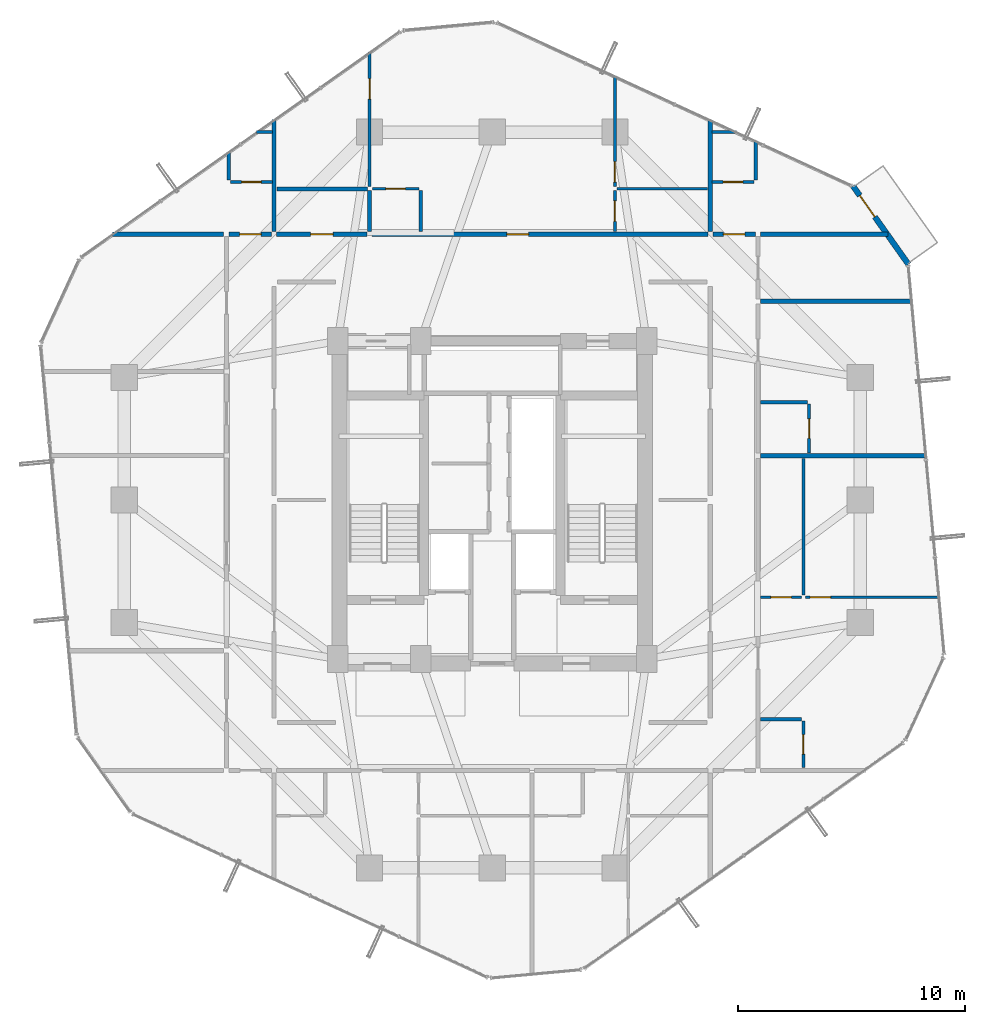
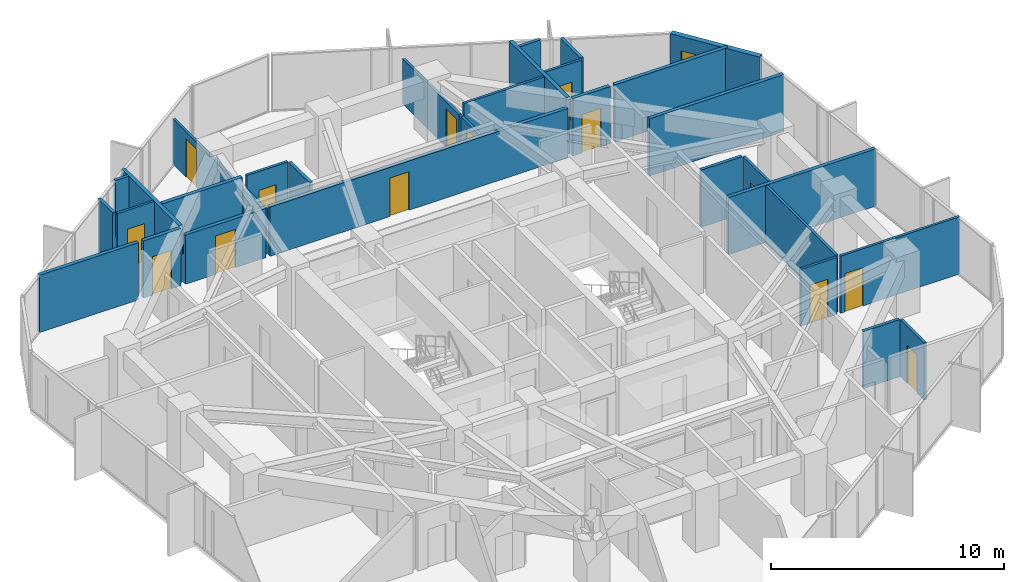
# One storey, part 30 of 33: 32 walls, 15 doors, 15 openings.
"""IFC4 building model written with IfcOpenShell, lengths in metres."""

from ifc_helpers import new_model, si_unit, direction, frame, frame_2d, origin, place, context, subcontext, project, spatial, rectangle, extrude, source, transform, mapped, material, layer, layer_set, type_object, element, fill, save


model = new_model("IFC4")

# Units and contexts
model_context = context("Model", 3, precision=1e-05, world=origin(), true_north=direction((0.0, 1.0)))
body_context = subcontext(model_context, "Body", "Model", "MODEL_VIEW")
ifc_project = project(units=[si_unit("LENGTHUNIT", "METRE"), si_unit("AREAUNIT", "SQUARE_METRE"), si_unit("VOLUMEUNIT", "CUBIC_METRE"), si_unit("PLANEANGLEUNIT", "RADIAN"), si_unit("MASSUNIT", "GRAM", prefix="KILO")], contexts=[model_context])

# Site, building, storey
site_placement = place(None, origin())
site = spatial("IfcSite", under=ifc_project, at=site_placement, CompositionType="ELEMENT")
building_placement = place(site_placement, origin())
building = spatial("IfcBuilding", under=site, at=building_placement, Name="Veraguas Prism Commons", CompositionType="ELEMENT")
storey_placement = place(building_placement, frame((0.0, 0.0, 145.75)))
storey = spatial("IfcBuildingStorey", under=building, at=storey_placement, Name="L41", CompositionType="ELEMENT", Elevation=145.75)

# Walls
ifc_material_1 = material(Name="Autoclaved aerated masonry block 10 MPa", Category="masonry")
ifc_layer_1 = layer(ifc_material_1, 0.179931640625, Name="Corridor and Inter-Tenancy Partition 180", Category="masonry")
ifc_layer_set_1 = layer_set([ifc_layer_1], Name="Autoclaved aerated masonry block 10 MPa")
wall_type_1 = type_object("IfcWallType", Name="Corridor and Inter-Tenancy Partition 180", PredefinedType="PARTITIONING", material=ifc_layer_set_1)
wall_1_placement = place(storey_placement, frame((14.39990234375, 35.820068359375, 0.0), z_axis=(0.0, 0.0, 1.0), x_axis=(0.0, 1.0, 0.0)))
element("IfcWall", 1, at=wall_1_placement, inside=storey, type_object=wall_type_1, Name="WL-L41-PT016", PredefinedType="PARTITIONING", context=body_context, shape_type="SweptSolid", body=[
    extrude(rectangle(XDim=4.922607421875, YDim=0.179931640625, at=frame_2d((2.46142578125, 0.0))), origin(), (0.0, 0.0, 1.0), 3.0),
])
wall_2_placement = place(storey_placement, frame((33.60009765625, 35.820068359375, 0.0), z_axis=(0.0, 0.0, 1.0), x_axis=(0.0, 1.0, 0.0)))
element("IfcWall", 2, at=wall_2_placement, inside=storey, type_object=wall_type_1, Name="WL-L41-PT017", PredefinedType="PARTITIONING", context=body_context, shape_type="SweptSolid", body=[
    extrude(rectangle(XDim=4.9111328125, YDim=0.179931640625, at=frame_2d((2.45556640625, 0.0))), origin(), (0.0, 0.0, 1.0), 3.0),
])

# Wall, opening, door
wall_3_placement = place(storey_placement, frame((14.510009765625, 35.699951171875, 0.0), z_axis=(0.0, 0.0, 1.0), x_axis=(1.0, 0.0, 0.0)))
wall_3 = element("IfcWall", 3, at=wall_3_placement, inside=storey, type_object=wall_type_1, Name="WL-L41-PT018", PredefinedType="PARTITIONING", context=body_context, shape_type="SweptSolid", body=[
    extrude(rectangle(XDim=3.97998046875, YDim=0.179931640625, at=frame_2d((1.989990234375, 0.0))), origin(), (0.0, 0.0, 1.0), 2.580078125),
])
opening_1_placement = place(wall_3_placement, frame((1.489990234375, 0.0, 0.0)))
opening_1 = element("IfcOpeningElement", 4, at=opening_1_placement, cuts=wall_3, Name="Opening DR-13", PredefinedType="OPENING", context=body_context, shape_type="SweptSolid", body=[
    extrude(rectangle(XDim=1.0, YDim=2.010009765625, at=frame_2d((0.5, 1.0048828125))), frame((0.0, 0.099853515625, 0.0), z_axis=(0.0, -1.0, 0.0), x_axis=(1.0, 0.0, 0.0)), (0.0, 0.0, 1.0), 0.199951171875),
])
ifc_material_2 = material(Name="Steel fire-rated door assembly", Category="steel")
door_type_1 = type_object("IfcDoorType", Name="Core Accessible WC and Clinic Fire Door 1000x2010", OperationType="NOTDEFINED", PredefinedType="DOOR", material=ifc_material_2)
shared_shape_1 = source(origin(), body_context, "Body", "SweptSolid", [
    extrude(rectangle(XDim=1.0, YDim=2.010009765625, at=frame_2d((0.5, 1.0048828125))), frame((0.0, 0.02490234375, 0.0), z_axis=(0.0, -1.0, 0.0), x_axis=(1.0, 0.0, 0.0)), (0.0, 0.0, 1.0), 0.050048828125),
])
door_1_placement = place(opening_1_placement, origin())
door_1 = element("IfcDoor", 5, at=door_1_placement, inside=storey, type_object=door_type_1, Name="Residents Study Alcove 41C Door", OperationType="SINGLE_SWING_RIGHT", OverallHeight=2.010009765625, OverallWidth=1.0, PredefinedType="DOOR", context=body_context, shape_type="MappedRepresentation", body=[
    mapped(shared_shape_1, transform((0.0, 0.0, 0.0), scale=1.0)),
])
fill(opening_1, door_1)

wall_4_placement = place(storey_placement, frame((18.7099609375, 35.699951171875, 0.0), z_axis=(0.0, 0.0, 1.0), x_axis=(1.0, 0.0, 0.0)))
wall_4 = element("IfcWall", 6, at=wall_4_placement, inside=storey, type_object=wall_type_1, Name="WL-L41-PT019", PredefinedType="PARTITIONING", context=body_context, shape_type="SweptSolid", body=[
    extrude(rectangle(XDim=14.780029296875, YDim=0.179931640625, at=frame_2d((7.39013671875, 0.0))), origin(), (0.0, 0.0, 1.0), 2.580078125),
])
opening_2_placement = place(wall_4_placement, frame((5.93994140625, 0.0, 0.0)))
opening_2 = element("IfcOpeningElement", 7, at=opening_2_placement, cuts=wall_4, Name="Opening DR-01", PredefinedType="OPENING", context=body_context, shape_type="SweptSolid", body=[
    extrude(rectangle(XDim=0.949951171875, YDim=2.02001953125, at=frame_2d((0.47509765625, 1.010009765625))), frame((0.0, 0.099853515625, 0.0), z_axis=(0.0, -1.0, 0.0), x_axis=(1.0, 0.0, 0.0)), (0.0, 0.0, 1.0), 0.199951171875),
])
ifc_material_3 = material(Name="Anodised aluminium EN AW-6063 T6", Category="aluminium")
door_type_2 = type_object("IfcDoorType", Name="Apartment Entrance Fire Door 950x2020", OperationType="NOTDEFINED", PredefinedType="DOOR", material=ifc_material_3)
shared_shape_2 = source(origin(), body_context, "Body", "SweptSolid", [
    extrude(rectangle(XDim=0.949951171875, YDim=2.02001953125, at=frame_2d((0.47509765625, 1.010009765625))), frame((0.0, 0.02490234375, 0.0), z_axis=(0.0, -1.0, 0.0), x_axis=(1.0, 0.0, 0.0)), (0.0, 0.0, 1.0), 0.050048828125),
])
door_2_placement = place(opening_2_placement, origin())
door_2 = element("IfcDoor", 8, at=door_2_placement, inside=storey, type_object=door_type_2, Name="Flat 41C Entrance Door", OperationType="SINGLE_SWING_LEFT", OverallHeight=2.02001953125, OverallWidth=0.949951171875, PredefinedType="DOOR", context=body_context, shape_type="MappedRepresentation", body=[
    mapped(shared_shape_2, transform((0.0, 0.0, 0.0), scale=1.0)),
])
fill(opening_2, door_2)

# Walls
wall_5_placement = place(storey_placement, frame((14.52001953125, 37.699951171875, 0.0), z_axis=(0.0, 0.0, 1.0), x_axis=(1.0, 0.0, 0.0)))
element("IfcWall", 9, at=wall_5_placement, inside=storey, type_object=wall_type_1, Name="WL-L41-PT020", PredefinedType="PARTITIONING", context=body_context, shape_type="SweptSolid", body=[
    extrude(rectangle(XDim=3.97998046875, YDim=0.179931640625, at=frame_2d((1.989990234375, 0.0))), origin(), (0.0, 0.0, 1.0), 3.0),
])
wall_6_placement = place(storey_placement, frame((18.60009765625, 35.820068359375, 0.0), z_axis=(0.0, 0.0, 1.0), x_axis=(0.0, 1.0, 0.0)))
element("IfcWall", 10, at=wall_6_placement, inside=storey, type_object=wall_type_1, Name="WL-L41-PT021", PredefinedType="PARTITIONING", context=body_context, shape_type="SweptSolid", body=[
    extrude(rectangle(XDim=1.800048828125, YDim=0.179931640625, at=frame_2d((0.89990234375, 0.0))), origin(), (0.0, 0.0, 1.0), 2.3779296875),
])
wall_7_placement = place(storey_placement, frame((12.179931640625, 35.699951171875, 0.0), z_axis=(0.0, 0.0, 1.0), x_axis=(-1.0, 0.0, 0.0)))
element("IfcWall", 11, at=wall_7_placement, inside=storey, type_object=wall_type_1, Name="WL-L41-PT029", PredefinedType="PARTITIONING", context=body_context, shape_type="SweptSolid", body=[
    extrude(rectangle(XDim=4.9072265625, YDim=0.179931640625, at=frame_2d((2.45361328125, 0.0))), origin(), (0.0, 0.0, 1.0), 3.0),
])
wall_8_placement = place(storey_placement, frame((35.820068359375, 35.699951171875, 0.0), z_axis=(0.0, 0.0, 1.0), x_axis=(1.0, 0.0, 0.0)))
element("IfcWall", 12, at=wall_8_placement, inside=storey, type_object=wall_type_1, Name="WL-L41-PT038", PredefinedType="PARTITIONING", context=body_context, shape_type="SweptSolid", body=[
    extrude(rectangle(XDim=5.603515625, YDim=0.179931640625, at=frame_2d((2.8017578125, 0.0))), origin(), (0.0, 0.0, 1.0), 3.0),
])
wall_9_placement = place(storey_placement, frame((35.820068359375, 25.947998046875, 0.0), z_axis=(0.0, 0.0, 1.0), x_axis=(1.0, 0.0, 0.0)))
element("IfcWall", 13, at=wall_9_placement, inside=storey, type_object=wall_type_1, Name="WL-L41-PT045", PredefinedType="PARTITIONING", context=body_context, shape_type="SweptSolid", body=[
    extrude(rectangle(XDim=7.294189453125, YDim=0.179931640625, at=frame_2d((3.64697265625, 0.0))), origin(), (0.0, 0.0, 1.0), 3.0),
])
wall_10_placement = place(storey_placement, frame((35.820068359375, 32.75, 0.0), z_axis=(0.0, 0.0, 1.0), x_axis=(1.0, 0.0, 0.0)))
element("IfcWall", 14, at=wall_10_placement, inside=storey, type_object=wall_type_1, Name="WL-L41-PT047", PredefinedType="PARTITIONING", context=body_context, shape_type="SweptSolid", body=[
    extrude(rectangle(XDim=6.66552734375, YDim=0.179931640625, at=frame_2d((3.332763671875, 0.0))), origin(), (0.0, 0.0, 1.0), 3.0),
])

# Wall, opening, door
wall_11_placement = place(storey_placement, frame((12.419921875, 35.699951171875, 0.0), z_axis=(0.0, 0.0, 1.0), x_axis=(1.0, 0.0, 0.0)))
wall_11 = element("IfcWall", 15, at=wall_11_placement, inside=storey, type_object=wall_type_1, Name="WL-L41-PT053", PredefinedType="PARTITIONING", context=body_context, shape_type="SweptSolid", body=[
    extrude(rectangle(XDim=1.860107421875, YDim=0.179931640625, at=frame_2d((0.93017578125, 0.0))), origin(), (0.0, 0.0, 1.0), 3.0),
])
opening_3_placement = place(wall_11_placement, frame((0.455078125, 0.0, 0.0)))
opening_3 = element("IfcOpeningElement", 16, at=opening_3_placement, cuts=wall_11, Name="Opening DR-01", PredefinedType="OPENING", context=body_context, shape_type="SweptSolid", body=[
    extrude(rectangle(XDim=0.949951171875, YDim=2.02001953125, at=frame_2d((0.47509765625, 1.010009765625))), frame((0.0, 0.099853515625, 0.0), z_axis=(0.0, -1.0, 0.0), x_axis=(1.0, 0.0, 0.0)), (0.0, 0.0, 1.0), 0.199951171875),
])
door_3_placement = place(opening_3_placement, origin())
door_3 = element("IfcDoor", 17, at=door_3_placement, inside=storey, type_object=door_type_2, Name="Studio 41F Entrance Door", OperationType="SINGLE_SWING_LEFT", OverallHeight=2.02001953125, OverallWidth=0.949951171875, PredefinedType="DOOR", context=body_context, shape_type="MappedRepresentation", body=[
    mapped(shared_shape_2, transform((0.0, 0.0, 0.0), scale=1.0)),
])
fill(opening_3, door_3)

wall_12_placement = place(storey_placement, frame((33.719970703125, 35.699951171875, 0.0), z_axis=(0.0, 0.0, 1.0), x_axis=(1.0, 0.0, 0.0)))
wall_12 = element("IfcWall", 18, at=wall_12_placement, inside=storey, type_object=wall_type_1, Name="WL-L41-PT057", PredefinedType="PARTITIONING", context=body_context, shape_type="SweptSolid", body=[
    extrude(rectangle(XDim=1.860107421875, YDim=0.179931640625, at=frame_2d((0.93017578125, 0.0))), origin(), (0.0, 0.0, 1.0), 3.0),
])
opening_4_placement = place(wall_12_placement, frame((0.455078125, 0.0, 0.0)))
opening_4 = element("IfcOpeningElement", 19, at=opening_4_placement, cuts=wall_12, Name="Opening DR-01", PredefinedType="OPENING", context=body_context, shape_type="SweptSolid", body=[
    extrude(rectangle(XDim=0.949951171875, YDim=2.02001953125, at=frame_2d((0.47509765625, 1.010009765625))), frame((0.0, 0.099853515625, 0.0), z_axis=(0.0, -1.0, 0.0), x_axis=(1.0, 0.0, 0.0)), (0.0, 0.0, 1.0), 0.199951171875),
])
door_4_placement = place(opening_4_placement, origin())
door_4 = element("IfcDoor", 20, at=door_4_placement, inside=storey, type_object=door_type_2, Name="Studio 41G Entrance Door", OperationType="SINGLE_SWING_LEFT", OverallHeight=2.02001953125, OverallWidth=0.949951171875, PredefinedType="DOOR", context=body_context, shape_type="MappedRepresentation", body=[
    mapped(shared_shape_2, transform((0.0, 0.0, 0.0), scale=1.0)),
])
fill(opening_4, door_4)

ifc_material_4 = material(Name="Precast concrete C40/50", Category="concrete")
ifc_layer_2 = layer(ifc_material_4, 0.25, Name="External Loggia and Portal Wall 250", Category="concrete")
ifc_layer_set_2 = layer_set([ifc_layer_2], Name="Precast concrete C40/50")
wall_type_2 = type_object("IfcWallType", Name="External Loggia and Portal Wall 250", PredefinedType="SOLIDWALL", material=ifc_layer_set_2)
wall_13_placement = place(storey_placement, frame((42.32568359375, 34.372802734375, 0.0), z_axis=(0.0, 0.0, 1.0), x_axis=(-0.577577222035, 0.81633605371, 0.0)))
wall_13 = element("IfcWall", 21, at=wall_13_placement, inside=storey, type_object=wall_type_2, Name="Corner Loggia Wall L41-C1", PredefinedType="SOLIDWALL", context=body_context, shape_type="SweptSolid", body=[
    extrude(rectangle(XDim=4.2333984375, YDim=0.25, at=frame_2d((2.11669921875, 0.0))), origin(), (0.0, 0.0, 1.0), 3.0),
])
opening_5_placement = place(wall_13_placement, frame((2.56005859375, 0.0, 0.0)))
opening_5 = element("IfcOpeningElement", 22, at=opening_5_placement, cuts=wall_13, Name="Opening DR-10", PredefinedType="OPENING", context=body_context, shape_type="SweptSolid", body=[
    extrude(rectangle(XDim=1.14990234375, YDim=2.25, at=frame_2d((0.574951171875, 1.125))), frame((0.0, 0.135009765625, 0.0), z_axis=(0.0, -1.0, 0.0), x_axis=(1.0, 0.0, 0.0)), (0.0, 0.0, 1.0), 0.27001953125),
])
door_type_3 = type_object("IfcDoorType", Name="Glazed Loggia and Terrace Door 1150x2250", OperationType="NOTDEFINED", PredefinedType="DOOR", material=ifc_material_3)
shared_shape_3 = source(origin(), body_context, "Body", "SweptSolid", [
    extrude(rectangle(XDim=1.14990234375, YDim=2.25, at=frame_2d((0.574951171875, 1.125))), frame((0.0, 0.02490234375, 0.0), z_axis=(0.0, -1.0, 0.0), x_axis=(1.0, 0.0, 0.0)), (0.0, 0.0, 1.0), 0.050048828125),
])
door_5_placement = place(opening_5_placement, frame((1.14990234375, 0.0, 0.0), z_axis=(0.0, 0.0, 1.0), x_axis=(-1.0, 0.0, 0.0)))
door_5 = element("IfcDoor", 23, at=door_5_placement, inside=storey, type_object=door_type_3, Name="Recessed Loggia Door L41-C1", OperationType="SINGLE_SWING_LEFT", OverallHeight=2.25, OverallWidth=1.14990234375, PredefinedType="DOOR", context=body_context, shape_type="MappedRepresentation", body=[
    mapped(shared_shape_3, transform((0.0, 0.0, 0.0), scale=1.0)),
])
fill(opening_5, door_5)

ifc_material_5 = material(Name="Lightweight acoustic gypsum board")
ifc_layer_3 = layer(ifc_material_5, 0.125, Name="Internal Apartment Room Partition 125")
ifc_layer_set_3 = layer_set([ifc_layer_3], Name="Lightweight acoustic gypsum board")
wall_type_3 = type_object("IfcWallType", Name="Internal Apartment Room Partition 125", PredefinedType="PARTITIONING", material=ifc_layer_set_3)
wall_14_placement = place(storey_placement, frame((18.60009765625, 37.800048828125, 0.0), z_axis=(0.0, 0.0, 1.0), x_axis=(0.0, 1.0, 0.0)))
wall_14 = element("IfcWall", 24, at=wall_14_placement, inside=storey, type_object=wall_type_3, Name="WL-L41-PT022", PredefinedType="PARTITIONING", context=body_context, shape_type="SweptSolid", body=[
    extrude(rectangle(XDim=5.914306640625, YDim=0.125, at=frame_2d((2.95703125, 0.0))), origin(), (0.0, 0.0, 1.0), 2.3779296875),
])
opening_6_placement = place(wall_14_placement, frame((3.85302734375, 0.0, 0.0)))
opening_6 = element("IfcOpeningElement", 25, at=opening_6_placement, cuts=wall_14, Name="Opening DR-02", PredefinedType="OPENING", context=body_context, shape_type="SweptSolid", body=[
    extrude(rectangle(XDim=0.89990234375, YDim=2.010009765625, at=frame_2d((0.449951171875, 1.0048828125))), frame((0.0, 0.072509765625, 0.0), z_axis=(0.0, -1.0, 0.0), x_axis=(1.0, 0.0, 0.0)), (0.0, 0.0, 1.0), 0.14501953125),
])
ifc_material_6 = material(Name="Timber solid core hardwood", Category="wood")
door_type_4 = type_object("IfcDoorType", Name="Internal Habitable Room Door 900x2010", OperationType="NOTDEFINED", PredefinedType="DOOR", material=ifc_material_6)
shared_shape_4 = source(origin(), body_context, "Body", "SweptSolid", [
    extrude(rectangle(XDim=0.89990234375, YDim=2.010009765625, at=frame_2d((0.449951171875, 1.0048828125))), frame((0.0, 0.02490234375, 0.0), z_axis=(0.0, -1.0, 0.0), x_axis=(1.0, 0.0, 0.0)), (0.0, 0.0, 1.0), 0.050048828125),
])
door_6_placement = place(opening_6_placement, origin())
door_6 = element("IfcDoor", 26, at=door_6_placement, inside=storey, type_object=door_type_4, Name="Flat 41C Bedroom 2 Door", OperationType="SINGLE_SWING_RIGHT", OverallHeight=2.010009765625, OverallWidth=0.89990234375, PredefinedType="DOOR", context=body_context, shape_type="MappedRepresentation", body=[
    mapped(shared_shape_4, transform((0.0, 0.0, 0.0), scale=1.0)),
])
fill(opening_6, door_6)

wall_15_placement = place(storey_placement, frame((18.719970703125, 37.699951171875, 0.0), z_axis=(0.0, 0.0, 1.0), x_axis=(1.0, 0.0, 0.0)))
wall_15 = element("IfcWall", 27, at=wall_15_placement, inside=storey, type_object=wall_type_3, Name="WL-L41-PT024", PredefinedType="PARTITIONING", context=body_context, shape_type="SweptSolid", body=[
    extrude(rectangle(XDim=2.050048828125, YDim=0.125, at=frame_2d((1.02490234375, 0.0))), origin(), (0.0, 0.0, 1.0), 3.0),
])
opening_7_placement = place(wall_15_placement, frame((0.594970703125, 0.0, 0.0)))
opening_7 = element("IfcOpeningElement", 28, at=opening_7_placement, cuts=wall_15, Name="Opening DR-03", PredefinedType="OPENING", context=body_context, shape_type="SweptSolid", body=[
    extrude(rectangle(XDim=0.860107421875, YDim=2.010009765625, at=frame_2d((0.43017578125, 1.0048828125))), frame((0.0, 0.072509765625, 0.0), z_axis=(0.0, -1.0, 0.0), x_axis=(1.0, 0.0, 0.0)), (0.0, 0.0, 1.0), 0.14501953125),
])
ifc_material_7 = material(Name="Timber moisture-resistant leaf", Category="wood")
door_type_5 = type_object("IfcDoorType", Name="Internal Bathroom Door 860x2010", OperationType="NOTDEFINED", PredefinedType="DOOR", material=ifc_material_7)
shared_shape_5 = source(origin(), body_context, "Body", "SweptSolid", [
    extrude(rectangle(XDim=0.860107421875, YDim=2.010009765625, at=frame_2d((0.43017578125, 1.0048828125))), frame((0.0, 0.02490234375, 0.0), z_axis=(0.0, -1.0, 0.0), x_axis=(1.0, 0.0, 0.0)), (0.0, 0.0, 1.0), 0.050048828125),
])
door_7_placement = place(opening_7_placement, origin())
door_7 = element("IfcDoor", 29, at=door_7_placement, inside=storey, type_object=door_type_5, Name="Flat 41C Bathroom Door", OperationType="SINGLE_SWING_LEFT", OverallHeight=2.010009765625, OverallWidth=0.860107421875, PredefinedType="DOOR", context=body_context, shape_type="MappedRepresentation", body=[
    mapped(shared_shape_5, transform((0.0, 0.0, 0.0), scale=1.0)),
])
fill(opening_7, door_7)

wall_16_placement = place(storey_placement, frame((29.39990234375, 35.820068359375, 0.0), z_axis=(0.0, 0.0, 1.0), x_axis=(0.0, 1.0, 0.0)))
wall_16 = element("IfcWall", 30, at=wall_16_placement, inside=storey, type_object=wall_type_3, Name="WL-L41-PT025", PredefinedType="PARTITIONING", context=body_context, shape_type="SweptSolid", body=[
    extrude(rectangle(XDim=1.800048828125, YDim=0.125, at=frame_2d((0.89990234375, 0.0))), origin(), (0.0, 0.0, 1.0), 2.3779296875),
])
opening_8_placement = place(wall_16_placement, frame((0.449951171875, 0.0, 0.0)))
opening_8 = element("IfcOpeningElement", 31, at=opening_8_placement, cuts=wall_16, Name="Opening DR-02", PredefinedType="OPENING", context=body_context, shape_type="SweptSolid", body=[
    extrude(rectangle(XDim=0.89990234375, YDim=2.010009765625, at=frame_2d((0.449951171875, 1.0048828125))), frame((0.0, 0.072509765625, 0.0), z_axis=(0.0, -1.0, 0.0), x_axis=(1.0, 0.0, 0.0)), (0.0, 0.0, 1.0), 0.14501953125),
])
door_8_placement = place(opening_8_placement, origin())
door_8 = element("IfcDoor", 32, at=door_8_placement, inside=storey, type_object=door_type_4, Name="Flat 41C Kitchen Door", OperationType="SINGLE_SWING_RIGHT", OverallHeight=2.010009765625, OverallWidth=0.89990234375, PredefinedType="DOOR", context=body_context, shape_type="MappedRepresentation", body=[
    mapped(shared_shape_4, transform((0.0, 0.0, 0.0), scale=1.0)),
])
fill(opening_8, door_8)

# Wall
wall_17_placement = place(storey_placement, frame((29.5, 37.699951171875, 0.0), z_axis=(0.0, 0.0, 1.0), x_axis=(1.0, 0.0, 0.0)))
element("IfcWall", 33, at=wall_17_placement, inside=storey, type_object=wall_type_3, Name="WL-L41-PT026", PredefinedType="PARTITIONING", context=body_context, shape_type="SweptSolid", body=[
    extrude(rectangle(XDim=3.97998046875, YDim=0.125, at=frame_2d((1.989990234375, 0.0))), origin(), (0.0, 0.0, 1.0), 3.0),
])

# Wall, opening, door
wall_18_placement = place(storey_placement, frame((29.39990234375, 37.800048828125, 0.0), z_axis=(0.0, 0.0, 1.0), x_axis=(0.0, 1.0, 0.0)))
wall_18 = element("IfcWall", 34, at=wall_18_placement, inside=storey, type_object=wall_type_3, Name="WL-L41-PT027", PredefinedType="PARTITIONING", context=body_context, shape_type="SweptSolid", body=[
    extrude(rectangle(XDim=4.86474609375, YDim=0.125, at=frame_2d((2.432373046875, 0.0))), origin(), (0.0, 0.0, 1.0), 2.3779296875),
])
opening_9_placement = place(wall_18_placement, frame((0.199951171875, 0.0, 0.0)))
opening_9 = element("IfcOpeningElement", 35, at=opening_9_placement, cuts=wall_18, Name="Opening DR-02", PredefinedType="OPENING", context=body_context, shape_type="SweptSolid", body=[
    extrude(rectangle(XDim=0.89990234375, YDim=2.010009765625, at=frame_2d((0.449951171875, 1.0048828125))), frame((0.0, 0.072509765625, 0.0), z_axis=(0.0, -1.0, 0.0), x_axis=(1.0, 0.0, 0.0)), (0.0, 0.0, 1.0), 0.14501953125),
])
door_9_placement = place(opening_9_placement, origin())
door_9 = element("IfcDoor", 36, at=door_9_placement, inside=storey, type_object=door_type_4, Name="Flat 41C Bedroom 1 Door", OperationType="SINGLE_SWING_LEFT", OverallHeight=2.010009765625, OverallWidth=0.89990234375, PredefinedType="DOOR", context=body_context, shape_type="MappedRepresentation", body=[
    mapped(shared_shape_4, transform((0.0, 0.0, 0.0), scale=1.0)),
])
fill(opening_9, door_9)

wall_19_placement = place(storey_placement, frame((37.699951171875, 12.219970703125, 0.0), z_axis=(0.0, 0.0, 1.0), x_axis=(0.0, 1.0, 0.0)))
wall_19 = element("IfcWall", 37, at=wall_19_placement, inside=storey, type_object=wall_type_3, Name="WL-L41-PT041", PredefinedType="PARTITIONING", context=body_context, shape_type="SweptSolid", body=[
    extrude(rectangle(XDim=2.050048828125, YDim=0.125, at=frame_2d((1.02490234375, 0.0))), origin(), (0.0, 0.0, 1.0), 3.0),
])
opening_10_placement = place(wall_19_placement, frame((0.594970703125, 0.0, 0.0)))
opening_10 = element("IfcOpeningElement", 38, at=opening_10_placement, cuts=wall_19, Name="Opening DR-03", PredefinedType="OPENING", context=body_context, shape_type="SweptSolid", body=[
    extrude(rectangle(XDim=0.860107421875, YDim=2.010009765625, at=frame_2d((0.43017578125, 1.0048828125))), frame((0.0, 0.072509765625, 0.0), z_axis=(0.0, -1.0, 0.0), x_axis=(1.0, 0.0, 0.0)), (0.0, 0.0, 1.0), 0.14501953125),
])
door_10_placement = place(opening_10_placement, origin())
door_10 = element("IfcDoor", 39, at=door_10_placement, inside=storey, type_object=door_type_5, Name="Flat 41D Bathroom Door", OperationType="SINGLE_SWING_LEFT", OverallHeight=2.010009765625, OverallWidth=0.860107421875, PredefinedType="DOOR", context=body_context, shape_type="MappedRepresentation", body=[
    mapped(shared_shape_5, transform((0.0, 0.0, 0.0), scale=1.0)),
])
fill(opening_10, door_10)

wall_20_placement = place(storey_placement, frame((35.820068359375, 19.716064453125, 0.0), z_axis=(0.0, 0.0, 1.0), x_axis=(1.0, 0.0, 0.0)))
wall_20 = element("IfcWall", 40, at=wall_20_placement, inside=storey, type_object=wall_type_3, Name="WL-L41-PT042", PredefinedType="PARTITIONING", context=body_context, shape_type="SweptSolid", body=[
    extrude(rectangle(XDim=1.800048828125, YDim=0.125, at=frame_2d((0.89990234375, 0.0))), origin(), (0.0, 0.0, 1.0), 3.0),
])
opening_11_placement = place(wall_20_placement, frame((0.449951171875, 0.0, 0.0)))
opening_11 = element("IfcOpeningElement", 41, at=opening_11_placement, cuts=wall_20, Name="Opening DR-02", PredefinedType="OPENING", context=body_context, shape_type="SweptSolid", body=[
    extrude(rectangle(XDim=0.89990234375, YDim=2.010009765625, at=frame_2d((0.449951171875, 1.0048828125))), frame((0.0, 0.072509765625, 0.0), z_axis=(0.0, -1.0, 0.0), x_axis=(1.0, 0.0, 0.0)), (0.0, 0.0, 1.0), 0.14501953125),
])
door_11_placement = place(opening_11_placement, origin())
door_11 = element("IfcDoor", 42, at=door_11_placement, inside=storey, type_object=door_type_4, Name="Flat 41D Kitchen Door", OperationType="SINGLE_SWING_RIGHT", OverallHeight=2.010009765625, OverallWidth=0.89990234375, PredefinedType="DOOR", context=body_context, shape_type="MappedRepresentation", body=[
    mapped(shared_shape_4, transform((0.0, 0.0, 0.0), scale=1.0)),
])
fill(opening_11, door_11)

# Wall
wall_21_placement = place(storey_placement, frame((37.699951171875, 19.81591796875, 0.0), z_axis=(0.0, 0.0, 1.0), x_axis=(0.0, 1.0, 0.0)))
element("IfcWall", 43, at=wall_21_placement, inside=storey, type_object=wall_type_3, Name="WL-L41-PT043", PredefinedType="PARTITIONING", context=body_context, shape_type="SweptSolid", body=[
    extrude(rectangle(XDim=6.011962890625, YDim=0.125, at=frame_2d((3.005859375, 0.0))), origin(), (0.0, 0.0, 1.0), 3.0),
])

# Wall, opening, door
wall_22_placement = place(storey_placement, frame((37.800048828125, 19.716064453125, 0.0), z_axis=(0.0, 0.0, 1.0), x_axis=(1.0, 0.0, 0.0)))
wall_22 = element("IfcWall", 44, at=wall_22_placement, inside=storey, type_object=wall_type_3, Name="WL-L41-PT044", PredefinedType="PARTITIONING", context=body_context, shape_type="SweptSolid", body=[
    extrude(rectangle(XDim=5.89013671875, YDim=0.125, at=frame_2d((2.945068359375, 0.0))), origin(), (0.0, 0.0, 1.0), 3.0),
])
opening_12_placement = place(wall_22_placement, frame((0.199951171875, 0.0, 0.0)))
opening_12 = element("IfcOpeningElement", 45, at=opening_12_placement, cuts=wall_22, Name="Opening DR-02", PredefinedType="OPENING", context=body_context, shape_type="SweptSolid", body=[
    extrude(rectangle(XDim=0.89990234375, YDim=2.010009765625, at=frame_2d((0.449951171875, 1.0048828125))), frame((0.0, 0.072509765625, 0.0), z_axis=(0.0, -1.0, 0.0), x_axis=(1.0, 0.0, 0.0)), (0.0, 0.0, 1.0), 0.14501953125),
])
door_12_placement = place(opening_12_placement, origin())
door_12 = element("IfcDoor", 46, at=door_12_placement, inside=storey, type_object=door_type_4, Name="Flat 41D Bedroom 1 Door", OperationType="SINGLE_SWING_LEFT", OverallHeight=2.010009765625, OverallWidth=0.89990234375, PredefinedType="DOOR", context=body_context, shape_type="MappedRepresentation", body=[
    mapped(shared_shape_4, transform((0.0, 0.0, 0.0), scale=1.0)),
])
fill(opening_12, door_12)

wall_23_placement = place(storey_placement, frame((37.949951171875, 26.068115234375, 0.0), z_axis=(0.0, 0.0, 1.0), x_axis=(0.0, 1.0, 0.0)))
wall_23 = element("IfcWall", 47, at=wall_23_placement, inside=storey, type_object=wall_type_3, Name="WL-L41-PT050", PredefinedType="PARTITIONING", context=body_context, shape_type="SweptSolid", body=[
    extrude(rectangle(XDim=2.14990234375, YDim=0.125, at=frame_2d((1.074951171875, 0.0))), origin(), (0.0, 0.0, 1.0), 3.0),
])
opening_13_placement = place(wall_23_placement, frame((0.64501953125, 0.0, 0.0)))
opening_13 = element("IfcOpeningElement", 48, at=opening_13_placement, cuts=wall_23, Name="Opening DR-03", PredefinedType="OPENING", context=body_context, shape_type="SweptSolid", body=[
    extrude(rectangle(XDim=0.860107421875, YDim=2.010009765625, at=frame_2d((0.43017578125, 1.0048828125))), frame((0.0, 0.072509765625, 0.0), z_axis=(0.0, -1.0, 0.0), x_axis=(1.0, 0.0, 0.0)), (0.0, 0.0, 1.0), 0.14501953125),
])
door_13_placement = place(opening_13_placement, origin())
door_13 = element("IfcDoor", 49, at=door_13_placement, inside=storey, type_object=door_type_5, Name="Studio 41E Bathroom Door", OperationType="SINGLE_SWING_RIGHT", OverallHeight=2.010009765625, OverallWidth=0.860107421875, PredefinedType="DOOR", context=body_context, shape_type="MappedRepresentation", body=[
    mapped(shared_shape_5, transform((0.0, 0.0, 0.0), scale=1.0)),
])
fill(opening_13, door_13)

wall_24_placement = place(storey_placement, frame((12.47998046875, 38.0, 0.0), z_axis=(0.0, 0.0, 1.0), x_axis=(1.0, 0.0, 0.0)))
wall_24 = element("IfcWall", 50, at=wall_24_placement, inside=storey, type_object=wall_type_3, Name="WL-L41-PT054", PredefinedType="PARTITIONING", context=body_context, shape_type="SweptSolid", body=[
    extrude(rectangle(XDim=1.840087890625, YDim=0.125, at=frame_2d((0.919921875, 0.0))), origin(), (0.0, 0.0, 1.0), 3.0),
])
opening_14_placement = place(wall_24_placement, frame((0.489990234375, 0.0, 0.0)))
opening_14 = element("IfcOpeningElement", 51, at=opening_14_placement, cuts=wall_24, Name="Opening DR-03", PredefinedType="OPENING", context=body_context, shape_type="SweptSolid", body=[
    extrude(rectangle(XDim=0.860107421875, YDim=2.010009765625, at=frame_2d((0.43017578125, 1.0048828125))), frame((0.0, 0.072509765625, 0.0), z_axis=(0.0, -1.0, 0.0), x_axis=(1.0, 0.0, 0.0)), (0.0, 0.0, 1.0), 0.14501953125),
])
door_14_placement = place(opening_14_placement, origin())
door_14 = element("IfcDoor", 52, at=door_14_placement, inside=storey, type_object=door_type_5, Name="Studio 41F Bathroom Door", OperationType="SINGLE_SWING_RIGHT", OverallHeight=2.010009765625, OverallWidth=0.860107421875, PredefinedType="DOOR", context=body_context, shape_type="MappedRepresentation", body=[
    mapped(shared_shape_5, transform((0.0, 0.0, 0.0), scale=1.0)),
])
fill(opening_14, door_14)

wall_25_placement = place(storey_placement, frame((33.679931640625, 38.0, 0.0), z_axis=(0.0, 0.0, 1.0), x_axis=(1.0, 0.0, 0.0)))
wall_25 = element("IfcWall", 53, at=wall_25_placement, inside=storey, type_object=wall_type_3, Name="WL-L41-PT058", PredefinedType="PARTITIONING", context=body_context, shape_type="SweptSolid", body=[
    extrude(rectangle(XDim=1.840087890625, YDim=0.125, at=frame_2d((0.919921875, 0.0))), origin(), (0.0, 0.0, 1.0), 3.0),
])
opening_15_placement = place(wall_25_placement, frame((0.489990234375, 0.0, 0.0)))
opening_15 = element("IfcOpeningElement", 54, at=opening_15_placement, cuts=wall_25, Name="Opening DR-03", PredefinedType="OPENING", context=body_context, shape_type="SweptSolid", body=[
    extrude(rectangle(XDim=0.860107421875, YDim=2.010009765625, at=frame_2d((0.43017578125, 1.0048828125))), frame((0.0, 0.072509765625, 0.0), z_axis=(0.0, -1.0, 0.0), x_axis=(1.0, 0.0, 0.0)), (0.0, 0.0, 1.0), 0.14501953125),
])
door_15_placement = place(opening_15_placement, origin())
door_15 = element("IfcDoor", 55, at=door_15_placement, inside=storey, type_object=door_type_5, Name="Studio 41G Bathroom Door", OperationType="SINGLE_SWING_RIGHT", OverallHeight=2.010009765625, OverallWidth=0.860107421875, PredefinedType="DOOR", context=body_context, shape_type="MappedRepresentation", body=[
    mapped(shared_shape_5, transform((0.0, 0.0, 0.0), scale=1.0)),
])
fill(opening_15, door_15)

# Walls
ifc_layer_4 = layer(ifc_material_5, 0.14990234375, Name="Wet Room and Clinic Acoustic Partition 150")
ifc_layer_set_4 = layer_set([ifc_layer_4], Name="Lightweight acoustic gypsum board")
wall_type_4 = type_object("IfcWallType", Name="Wet Room and Clinic Acoustic Partition 150", PredefinedType="PARTITIONING", material=ifc_layer_set_4)
for number, where, z_axis, x_axis, name in (
    (56, (20.85009765625, 35.820068359375, 0.0), (0.0, 0.0, 1.0), (0.0, 1.0, 0.0), "WL-L41-PT023"),
    (57, (35.820068359375, 14.35009765625, 0.0), (0.0, 0.0, 1.0), (1.0, 0.0, 0.0), "WL-L41-PT040"),
):
    element("IfcWall", number, at=place(storey_placement, frame(where, z_axis=z_axis, x_axis=x_axis)), inside=storey, type_object=wall_type_4, Name=name, PredefinedType="PARTITIONING", context=body_context, shape_type="SweptSolid", body=[
        extrude(rectangle(XDim=1.800048828125, YDim=0.14990234375, at=frame_2d((0.89990234375, 0.0))), origin(), (0.0, 0.0, 1.0), 3.0),
    ])
wall_26_placement = place(storey_placement, frame((35.820068359375, 28.298095703125, 0.0), z_axis=(0.0, 0.0, 1.0), x_axis=(1.0, 0.0, 0.0)))
element("IfcWall", 58, at=wall_26_placement, inside=storey, type_object=wall_type_4, Name="WL-L41-PT049", PredefinedType="PARTITIONING", context=body_context, shape_type="SweptSolid", body=[
    extrude(rectangle(XDim=2.050048828125, YDim=0.14990234375, at=frame_2d((1.02490234375, 0.0))), origin(), (0.0, 0.0, 1.0), 3.0),
])
wall_27_placement = place(storey_placement, frame((13.6328125, 40.199951171875, 0.0), z_axis=(0.0, 0.0, 1.0), x_axis=(1.0, 0.0, 0.0)))
element("IfcWall", 59, at=wall_27_placement, inside=storey, type_object=wall_type_4, Name="WL-L41-PT055", PredefinedType="PARTITIONING", context=body_context, shape_type="SweptSolid", body=[
    extrude(rectangle(XDim=0.687255859375, YDim=0.14990234375, at=frame_2d((0.34375, 0.0))), origin(), (0.0, 0.0, 1.0), 3.0),
])
wall_28_placement = place(storey_placement, frame((12.39990234375, 38.080078125, 0.0), z_axis=(0.0, 0.0, 1.0), x_axis=(0.0, 1.0, 0.0)))
element("IfcWall", 60, at=wall_28_placement, inside=storey, type_object=wall_type_4, Name="WL-L41-PT056", PredefinedType="PARTITIONING", context=body_context, shape_type="SweptSolid", body=[
    extrude(rectangle(XDim=1.24755859375, YDim=0.14990234375, at=frame_2d((0.623779296875, 0.0))), origin(), (0.0, 0.0, 1.0), 3.0),
])
wall_29_placement = place(storey_placement, frame((33.679931640625, 40.199951171875, 0.0), z_axis=(0.0, 0.0, 1.0), x_axis=(1.0, 0.0, 0.0)))
element("IfcWall", 61, at=wall_29_placement, inside=storey, type_object=wall_type_4, Name="WL-L41-PT059", PredefinedType="PARTITIONING", context=body_context, shape_type="SweptSolid", body=[
    extrude(rectangle(XDim=1.07373046875, YDim=0.14990234375, at=frame_2d((0.536865234375, 0.0))), origin(), (0.0, 0.0, 1.0), 3.0),
])
wall_30_placement = place(storey_placement, frame((35.60009765625, 38.080078125, 0.0), z_axis=(0.0, 0.0, 1.0), x_axis=(0.0, 1.0, 0.0)))
element("IfcWall", 62, at=wall_30_placement, inside=storey, type_object=wall_type_4, Name="WL-L41-PT060", PredefinedType="PARTITIONING", context=body_context, shape_type="SweptSolid", body=[
    extrude(rectangle(XDim=1.730224609375, YDim=0.14990234375, at=frame_2d((0.865234375, 0.0))), origin(), (0.0, 0.0, 1.0), 3.0),
])

save(model, "model.ifc")
